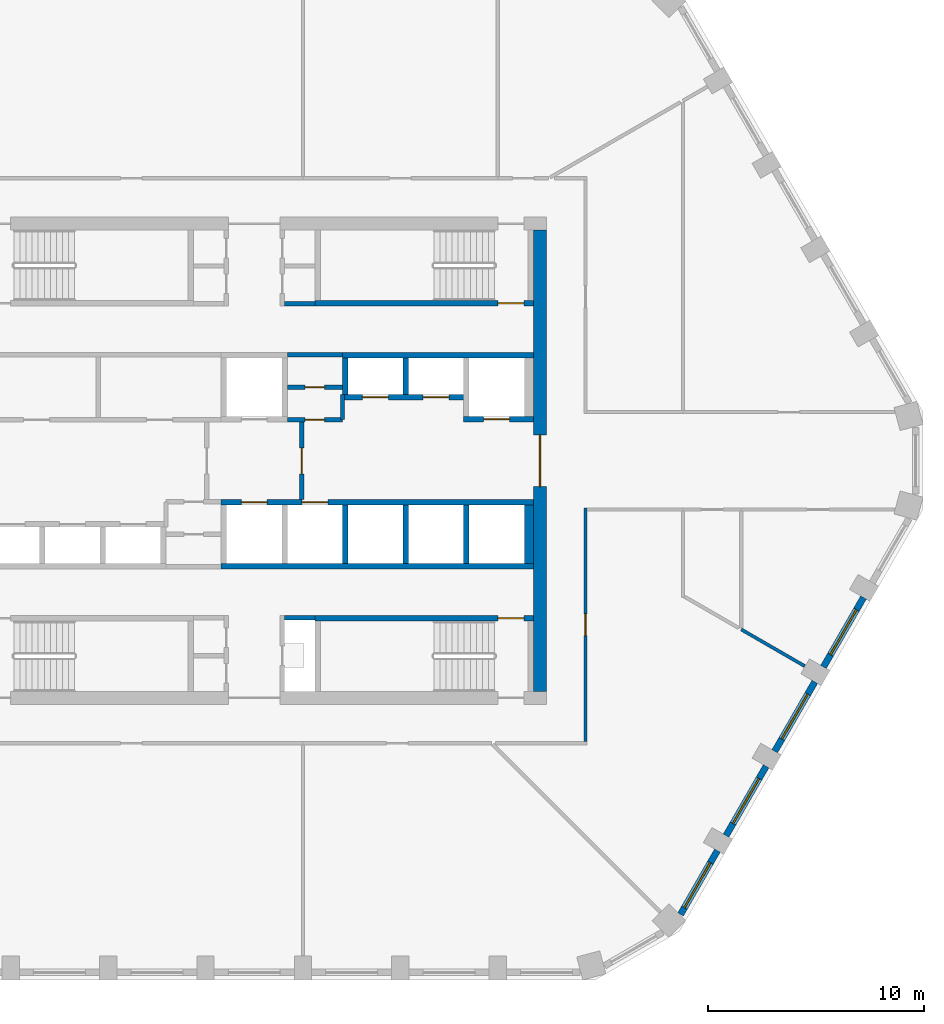
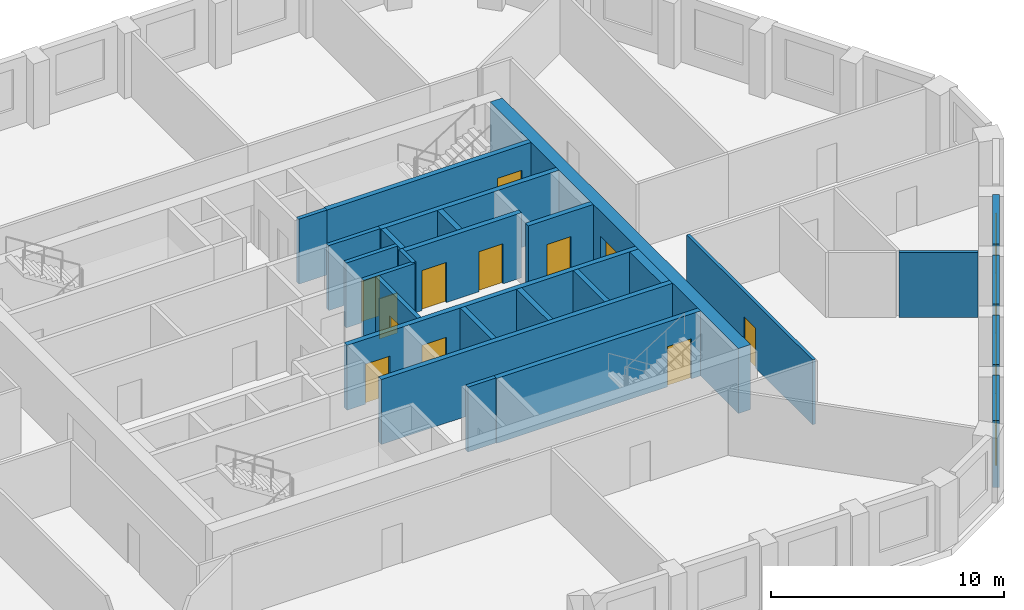
# One storey, part 4 of 8: 27 walls, 12 doors, 4 windows, 16 openings.
"""IFC4 building model written with IfcOpenShell, lengths in metres."""

from ifc_helpers import new_model, si_unit, direction, frame, frame_2d, origin, place, context, subcontext, project, spatial, polyline, rectangle, outline, extrude, material, layer, layer_set, type_object, element, fill, save


model = new_model("IFC4")

# Units and contexts
model_context = context("Model", 3, precision=1e-05, world=origin(), true_north=direction((0.0, 1.0)))
body_context = subcontext(model_context, "Body", "Model", "MODEL_VIEW")
ifc_project = project(units=[si_unit("LENGTHUNIT", "METRE"), si_unit("AREAUNIT", "SQUARE_METRE"), si_unit("VOLUMEUNIT", "CUBIC_METRE"), si_unit("PLANEANGLEUNIT", "RADIAN"), si_unit("MASSUNIT", "GRAM", prefix="KILO")], contexts=[model_context])

# Site, building, storey
site_placement = place(None, origin())
site = spatial("IfcSite", under=ifc_project, at=site_placement, CompositionType="ELEMENT")
building_placement = place(site_placement, origin())
building = spatial("IfcBuilding", under=site, at=building_placement, Name="Dhurran Vertical Campus", CompositionType="ELEMENT")
storey_placement = place(building_placement, frame((0.0, 0.0, 226.800048828125)))
storey = spatial("IfcBuildingStorey", under=building, at=storey_placement, Name="L56", CompositionType="ELEMENT", Elevation=226.800048828125)

# Wall, opening, window
ifc_material_1 = material(Name="Precast concrete C50/60", Category="concrete")
ifc_layer_1 = layer(ifc_material_1, 0.300048828125)
ifc_layer_set_1 = layer_set([ifc_layer_1], Name="Precast concrete C50/60")
wall_type_1 = type_object("IfcWallType", Name="Precast spandrel wall 300", PredefinedType="SOLIDWALL", material=ifc_layer_set_1)
wall_1_placement = place(storey_placement, frame((19.69580078125, -20.951171875, 0.0), z_axis=(0.0, 0.0, 1.0), x_axis=(0.500012868213, 0.866017974191, 0.0)))
wall_1 = element("IfcWall", 1, at=wall_1_placement, inside=storey, type_object=wall_type_1, Name="EW1 L56.08", PredefinedType="SOLIDWALL", context=body_context, shape_type="SweptSolid", body=[
    extrude(rectangle(XDim=3.39599609375, YDim=0.300048828125, at=frame_2d((1.697998046875, 0.0))), origin(), (0.0, 0.0, 1.0), 3.5),
])
opening_1_placement = place(wall_1_placement, frame((0.346435546875, 0.0, 0.89990234375)))
opening_1 = element("IfcOpeningElement", 2, at=opening_1_placement, cuts=wall_1, Name="Opening WT1", PredefinedType="OPENING", context=body_context, shape_type="SweptSolid", body=[
    extrude(rectangle(XDim=2.39990234375, YDim=2.10009765625, at=frame_2d((1.199951171875, 1.050048828125))), frame((0.0, 0.159912109375, 0.0), z_axis=(0.0, -1.0, 0.0), x_axis=(1.0, 0.0, 0.0)), (0.0, 0.0, 1.0), 0.320068359375),
])
ifc_material_2 = material(Name="Aluminium frame with solar-control glass", Category="aluminium")
window_type = type_object("IfcWindowType", Name="Punched window 2400 x 2100", PartitioningType="SINGLE_PANEL", PredefinedType="WINDOW", material=ifc_material_2)
window_1_placement = place(opening_1_placement, origin())
window_1 = element("IfcWindow", 3, at=window_1_placement, inside=storey, type_object=window_type, Name="WT1 L56.08", OverallHeight=2.10009765625, OverallWidth=2.39990234375, PartitioningType="SINGLE_PANEL", PredefinedType="WINDOW", context=body_context, shape_type="SweptSolid", body=[
    extrude(rectangle(XDim=2.39990234375, YDim=2.10009765625, at=frame_2d((1.199951171875, 1.050048828125))), frame((0.0, 0.030029296875, 0.0), z_axis=(0.0, -1.0, 0.0), x_axis=(1.0, 0.0, 0.0)), (0.0, 0.0, 1.0), 0.06005859375),
])
fill(opening_1, window_1)

wall_2_placement = place(storey_placement, frame((21.794189453125, -17.316650390625, 0.0), z_axis=(0.0, 0.0, 1.0), x_axis=(0.500029062817, 0.866008623709, 0.0)))
wall_2 = element("IfcWall", 4, at=wall_2_placement, inside=storey, type_object=wall_type_1, Name="EW1 L56.09", PredefinedType="SOLIDWALL", context=body_context, shape_type="SweptSolid", body=[
    extrude(rectangle(XDim=3.698974609375, YDim=0.300048828125, at=frame_2d((1.849609375, 0.0))), origin(), (0.0, 0.0, 1.0), 3.5),
])
opening_2_placement = place(wall_2_placement, frame((0.6494140625, 0.0, 0.89990234375)))
opening_2 = element("IfcOpeningElement", 5, at=opening_2_placement, cuts=wall_2, Name="Opening WT1", PredefinedType="OPENING", context=body_context, shape_type="SweptSolid", body=[
    extrude(rectangle(XDim=2.39990234375, YDim=2.10009765625, at=frame_2d((1.199951171875, 1.050048828125))), frame((0.0, 0.159912109375, 0.0), z_axis=(0.0, -1.0, 0.0), x_axis=(1.0, 0.0, 0.0)), (0.0, 0.0, 1.0), 0.320068359375),
])
window_2_placement = place(opening_2_placement, origin())
window_2 = element("IfcWindow", 6, at=window_2_placement, inside=storey, type_object=window_type, Name="WT1 L56.09", OverallHeight=2.10009765625, OverallWidth=2.39990234375, PartitioningType="SINGLE_PANEL", PredefinedType="WINDOW", context=body_context, shape_type="SweptSolid", body=[
    extrude(rectangle(XDim=2.39990234375, YDim=2.10009765625, at=frame_2d((1.199951171875, 1.050048828125))), frame((0.0, 0.030029296875, 0.0), z_axis=(0.0, -1.0, 0.0), x_axis=(1.0, 0.0, 0.0)), (0.0, 0.0, 1.0), 0.06005859375),
])
fill(opening_2, window_2)

wall_3_placement = place(storey_placement, frame((24.044189453125, -13.41943359375, 0.0), z_axis=(0.0, 0.0, 1.0), x_axis=(0.500029062817, 0.866008623709, 0.0)))
wall_3 = element("IfcWall", 7, at=wall_3_placement, inside=storey, type_object=wall_type_1, Name="EW1 L56.10", PredefinedType="SOLIDWALL", context=body_context, shape_type="SweptSolid", body=[
    extrude(rectangle(XDim=3.698974609375, YDim=0.300048828125, at=frame_2d((1.849609375, 0.0))), origin(), (0.0, 0.0, 1.0), 3.5),
])
opening_3_placement = place(wall_3_placement, frame((0.6494140625, 0.0, 0.89990234375)))
opening_3 = element("IfcOpeningElement", 8, at=opening_3_placement, cuts=wall_3, Name="Opening WT1", PredefinedType="OPENING", context=body_context, shape_type="SweptSolid", body=[
    extrude(rectangle(XDim=2.39990234375, YDim=2.10009765625, at=frame_2d((1.199951171875, 1.050048828125))), frame((0.0, 0.159912109375, 0.0), z_axis=(0.0, -1.0, 0.0), x_axis=(1.0, 0.0, 0.0)), (0.0, 0.0, 1.0), 0.320068359375),
])
window_3_placement = place(opening_3_placement, origin())
window_3 = element("IfcWindow", 9, at=window_3_placement, inside=storey, type_object=window_type, Name="WT1 L56.10", OverallHeight=2.10009765625, OverallWidth=2.39990234375, PartitioningType="SINGLE_PANEL", PredefinedType="WINDOW", context=body_context, shape_type="SweptSolid", body=[
    extrude(rectangle(XDim=2.39990234375, YDim=2.10009765625, at=frame_2d((1.199951171875, 1.050048828125))), frame((0.0, 0.030029296875, 0.0), z_axis=(0.0, -1.0, 0.0), x_axis=(1.0, 0.0, 0.0)), (0.0, 0.0, 1.0), 0.06005859375),
])
fill(opening_3, window_3)

wall_4_placement = place(storey_placement, frame((26.294189453125, -9.5224609375, 0.0), z_axis=(0.0, 0.0, 1.0), x_axis=(0.500029062817, 0.866008623709, 0.0)))
wall_4 = element("IfcWall", 10, at=wall_4_placement, inside=storey, type_object=wall_type_1, Name="EW1 L56.11", PredefinedType="SOLIDWALL", context=body_context, shape_type="SweptSolid", body=[
    extrude(rectangle(XDim=3.698974609375, YDim=0.300048828125, at=frame_2d((1.849609375, 0.0))), origin(), (0.0, 0.0, 1.0), 3.5),
])
opening_4_placement = place(wall_4_placement, frame((0.6494140625, 0.0, 0.89990234375)))
opening_4 = element("IfcOpeningElement", 11, at=opening_4_placement, cuts=wall_4, Name="Opening WT1", PredefinedType="OPENING", context=body_context, shape_type="SweptSolid", body=[
    extrude(rectangle(XDim=2.39990234375, YDim=2.10009765625, at=frame_2d((1.199951171875, 1.050048828125))), frame((0.0, 0.159912109375, 0.0), z_axis=(0.0, -1.0, 0.0), x_axis=(1.0, 0.0, 0.0)), (0.0, 0.0, 1.0), 0.320068359375),
])
window_4_placement = place(opening_4_placement, origin())
window_4 = element("IfcWindow", 12, at=window_4_placement, inside=storey, type_object=window_type, Name="WT1 L56.11", OverallHeight=2.10009765625, OverallWidth=2.39990234375, PartitioningType="SINGLE_PANEL", PredefinedType="WINDOW", context=body_context, shape_type="SweptSolid", body=[
    extrude(rectangle(XDim=2.39990234375, YDim=2.10009765625, at=frame_2d((1.199951171875, 1.050048828125))), frame((0.0, 0.030029296875, 0.0), z_axis=(0.0, -1.0, 0.0), x_axis=(1.0, 0.0, 0.0)), (0.0, 0.0, 1.0), 0.06005859375),
])
fill(opening_4, window_4)

# Wall, opening, door
ifc_material_3 = material(Name="Concrete C50/60", Category="concrete")
ifc_layer_2 = layer(ifc_material_3, 0.60009765625)
ifc_layer_set_2 = layer_set([ifc_layer_2], Name="Concrete C50/60")
wall_type_2 = type_object("IfcWallType", Name="co-CORE-WALL-C2-600", PredefinedType="SHEAR", material=ifc_layer_set_2)
wall_5_placement = place(storey_placement, frame((13.199951171875, -10.64990234375, 0.0), z_axis=(0.0, 0.0, 1.0), x_axis=(0.0, 1.0, 0.0)))
wall_5 = element("IfcWall", 13, at=wall_5_placement, inside=storey, type_object=wall_type_2, Name="Core wall E L56", PredefinedType="SHEAR", context=body_context, shape_type="SweptSolid", body=[
    extrude(rectangle(XDim=21.2998046875, YDim=0.60009765625, at=frame_2d((10.64990234375, 0.0))), origin(), (0.0, 0.0, 1.0), 3.39990234375),
])
opening_5_placement = place(wall_5_placement, frame((9.449951171875, 0.0, 0.0)))
opening_5 = element("IfcOpeningElement", 14, at=opening_5_placement, cuts=wall_5, Name="Opening CL2", PredefinedType="OPENING", context=body_context, shape_type="SweptSolid", body=[
    extrude(rectangle(XDim=2.39990234375, YDim=2.10009765625, at=frame_2d((1.199951171875, 1.050048828125))), frame((0.0, 0.31005859375, 0.0), z_axis=(0.0, -1.0, 0.0), x_axis=(1.0, 0.0, 0.0)), (0.0, 0.0, 1.0), 0.6201171875),
])
ifc_material_4 = material(Name="Fire-rated glazed door set")
door_type_1 = type_object("IfcDoorType", Name="co-D-LOBBY 2400x2100", OperationType="DOUBLE_DOOR_DOUBLE_SWING", PredefinedType="DOOR", material=ifc_material_4)
door_1_placement = place(opening_5_placement, origin())
door_1 = element("IfcDoor", 15, at=door_1_placement, inside=storey, type_object=door_type_1, Name="Lift lobby door E L56", OperationType="DOUBLE_DOOR_DOUBLE_SWING", OverallHeight=2.10009765625, OverallWidth=2.39990234375, PredefinedType="DOOR", context=body_context, shape_type="SweptSolid", body=[
    extrude(rectangle(XDim=2.39990234375, YDim=2.10009765625, at=frame_2d((1.199951171875, 1.050048828125))), frame((0.0, 0.02490234375, 0.0), z_axis=(0.0, -1.0, 0.0), x_axis=(1.0, 0.0, 0.0)), (0.0, 0.0, 1.0), 0.050048828125),
])
fill(opening_5, door_1)

ifc_material_5 = material(Name="Fire-rated masonry blockwork", Category="masonry")
ifc_layer_3 = layer(ifc_material_5, 0.199951171875)
ifc_layer_set_3 = layer_set([ifc_layer_3], Name="Fire-rated masonry blockwork")
wall_type_3 = type_object("IfcWallType", Name="co-FIRE-PARTITION-200", PredefinedType="PARTITIONING", material=ifc_layer_set_3)
wall_6_placement = place(storey_placement, frame((2.199951171875, -1.800048828125, 0.0), z_axis=(0.0, 0.0, 1.0), x_axis=(0.0, 1.0, 0.0)))
wall_6 = element("IfcWall", 16, at=wall_6_placement, inside=storey, type_object=wall_type_3, Name="Firefighting lobby wall E L56", PredefinedType="PARTITIONING", context=body_context, shape_type="SweptSolid", body=[
    extrude(rectangle(XDim=3.60009765625, YDim=0.199951171875, at=frame_2d((1.800048828125, 0.0))), origin(), (0.0, 0.0, 1.0), 3.39990234375),
])
opening_6_placement = place(wall_6_placement, frame((1.199951171875, 0.0, 0.0)))
opening_6 = element("IfcOpeningElement", 17, at=opening_6_placement, cuts=wall_6, Name="Opening FL2", PredefinedType="OPENING", context=body_context, shape_type="SweptSolid", body=[
    extrude(rectangle(XDim=1.199951171875, YDim=2.10009765625, at=frame_2d((0.60009765625, 1.050048828125))), frame((0.0, 0.10986328125, 0.0), z_axis=(0.0, -1.0, 0.0), x_axis=(1.0, 0.0, 0.0)), (0.0, 0.0, 1.0), 0.219970703125),
])
ifc_material_6 = material(Name="Fire-rated steel door set", Category="steel")
door_type_2 = type_object("IfcDoorType", Name="co-D-FFLOBBY 1200x2100", OperationType="SINGLE_SWING_LEFT", PredefinedType="DOOR", material=ifc_material_6)
door_2_placement = place(opening_6_placement, origin())
door_2 = element("IfcDoor", 18, at=door_2_placement, inside=storey, type_object=door_type_2, Name="Firefighting lobby door E L56", OperationType="SINGLE_SWING_LEFT", OverallHeight=2.10009765625, OverallWidth=1.199951171875, PredefinedType="DOOR", context=body_context, shape_type="SweptSolid", body=[
    extrude(rectangle(XDim=1.199951171875, YDim=2.10009765625, at=frame_2d((0.60009765625, 1.050048828125))), frame((0.0, 0.02490234375, 0.0), z_axis=(0.0, -1.0, 0.0), x_axis=(1.0, 0.0, 0.0)), (0.0, 0.0, 1.0), 0.050048828125),
])
fill(opening_6, door_2)

# Walls
for number, where, z_axis, x_axis, name in (
    (19, (1.39990234375, 7.25, 0.0), (0.0, 0.0, 1.0), (1.0, 0.0, 0.0), "Core partition sl-NE-S L56"),
    (20, (1.39990234375, -7.25, 0.0), (0.0, 0.0, 1.0), (1.0, 0.0, 0.0), "Core partition sl-SE-S L56"),
):
    element("IfcWall", number, at=place(storey_placement, frame(where, z_axis=z_axis, x_axis=x_axis)), inside=storey, type_object=wall_type_3, Name=name, PredefinedType="PARTITIONING", context=body_context, shape_type="SweptSolid", body=[
        extrude(rectangle(XDim=1.400146484375, YDim=0.199951171875, at=frame_2d((0.7001953125, 0.0))), origin(), (0.0, 0.0, 1.0), 3.39990234375),
    ])

# Wall, opening, door
wall_7_placement = place(storey_placement, frame((1.52490234375, 3.39990234375, 0.0), z_axis=(0.0, 0.0, 1.0), x_axis=(1.0, 0.0, 0.0)))
wall_7 = element("IfcWall", 21, at=wall_7_placement, inside=storey, type_object=wall_type_3, Name="Core partition fr-N1-c L56", PredefinedType="PARTITIONING", context=body_context, shape_type="SweptSolid", body=[
    extrude(rectangle(XDim=2.550048828125, YDim=0.199951171875, at=frame_2d((1.27490234375, 0.0))), origin(), (0.0, 0.0, 1.0), 3.39990234375),
])
opening_7_placement = place(wall_7_placement, frame((0.824951171875, 0.0, 0.0)))
opening_7 = element("IfcOpeningElement", 22, at=opening_7_placement, cuts=wall_7, Name="Opening T16-C10", PredefinedType="OPENING", context=body_context, shape_type="SweptSolid", body=[
    extrude(rectangle(XDim=0.89990234375, YDim=2.10009765625, at=frame_2d((0.449951171875, 1.050048828125))), frame((0.0, 0.10986328125, 0.0), z_axis=(0.0, -1.0, 0.0), x_axis=(1.0, 0.0, 0.0)), (0.0, 0.0, 1.0), 0.219970703125),
])
ifc_material_7 = material(Name="Fire-rated timber door set", Category="wood")
door_type_3 = type_object("IfcDoorType", Name="co-D-ROOM 900x2100", OperationType="SINGLE_SWING_LEFT", PredefinedType="DOOR", material=ifc_material_7)
door_3_placement = place(opening_7_placement, origin())
door_3 = element("IfcDoor", 23, at=door_3_placement, inside=storey, type_object=door_type_3, Name="Plant room door L56", OperationType="SINGLE_SWING_LEFT", OverallHeight=2.10009765625, OverallWidth=0.89990234375, PredefinedType="DOOR", context=body_context, shape_type="SweptSolid", body=[
    extrude(rectangle(XDim=0.89990234375, YDim=2.10009765625, at=frame_2d((0.449951171875, 1.050048828125))), frame((0.0, 0.02490234375, 0.0), z_axis=(0.0, -1.0, 0.0), x_axis=(1.0, 0.0, 0.0)), (0.0, 0.0, 1.0), 0.050048828125),
])
fill(opening_7, door_3)

wall_8_placement = place(storey_placement, frame((1.52490234375, 1.89990234375, 0.0), z_axis=(0.0, 0.0, 1.0), x_axis=(1.0, 0.0, 0.0)))
wall_8 = element("IfcWall", 24, at=wall_8_placement, inside=storey, type_object=wall_type_3, Name="Core partition fr-N1-f L56", PredefinedType="PARTITIONING", context=body_context, shape_type="SweptSolid", body=[
    extrude(rectangle(XDim=2.550048828125, YDim=0.199951171875, at=frame_2d((1.27490234375, 0.0))), origin(), (0.0, 0.0, 1.0), 3.39990234375),
])
opening_8_placement = place(wall_8_placement, frame((0.824951171875, 0.0, 0.0)))
opening_8 = element("IfcOpeningElement", 25, at=opening_8_placement, cuts=wall_8, Name="Opening T16-C11", PredefinedType="OPENING", context=body_context, shape_type="SweptSolid", body=[
    extrude(rectangle(XDim=0.89990234375, YDim=2.10009765625, at=frame_2d((0.449951171875, 1.050048828125))), frame((0.0, 0.10986328125, 0.0), z_axis=(0.0, -1.0, 0.0), x_axis=(1.0, 0.0, 0.0)), (0.0, 0.0, 1.0), 0.219970703125),
])
door_4_placement = place(opening_8_placement, origin())
door_4 = element("IfcDoor", 26, at=door_4_placement, inside=storey, type_object=door_type_3, Name="Server room door L56", OperationType="SINGLE_SWING_LEFT", OverallHeight=2.10009765625, OverallWidth=0.89990234375, PredefinedType="DOOR", context=body_context, shape_type="SweptSolid", body=[
    extrude(rectangle(XDim=0.89990234375, YDim=2.10009765625, at=frame_2d((0.449951171875, 1.050048828125))), frame((0.0, 0.02490234375, 0.0), z_axis=(0.0, -1.0, 0.0), x_axis=(1.0, 0.0, 0.0)), (0.0, 0.0, 1.0), 0.050048828125),
])
fill(opening_8, door_4)

# Walls
wall_9_placement = place(storey_placement, frame((1.52490234375, 4.89990234375, 0.0), z_axis=(0.0, 0.0, 1.0), x_axis=(1.0, 0.0, 0.0)))
element("IfcWall", 27, at=wall_9_placement, inside=storey, type_object=wall_type_3, Name="Core partition fr-N1-b L56", PredefinedType="PARTITIONING", context=body_context, shape_type="SweptSolid", body=[
    extrude(rectangle(XDim=2.550048828125, YDim=0.199951171875, at=frame_2d((1.27490234375, 0.0))), origin(), (0.0, 0.0, 1.0), 3.39990234375),
])
wall_10_placement = place(storey_placement, frame((4.074951171875, 1.89990234375, 0.0), z_axis=(0.0, 0.0, 1.0), x_axis=(0.0, 1.0, 0.0)))
element("IfcWall", 28, at=wall_10_placement, inside=storey, type_object=wall_type_3, Name="Core partition fr-N1-n1 L56", PredefinedType="PARTITIONING", context=body_context, shape_type="SweptSolid", body=[
    extrude(rectangle(XDim=1.150146484375, YDim=0.199951171875, at=frame_2d((0.5751953125, 0.0))), origin(), (0.0, 0.0, 1.0), 3.39990234375),
])

# Wall, openings, doors
ifc_material_8 = material(Name="Concrete C50/60", Category="concrete")
ifc_layer_4 = layer(ifc_material_8, 0.25)
ifc_layer_set_4 = layer_set([ifc_layer_4], Name="Concrete C50/60")
wall_type_4 = type_object("IfcWallType", Name="co-SHAFT-FRONT-250", PredefinedType="SHEAR", material=ifc_layer_set_4)
wall_11_placement = place(storey_placement, frame((4.074951171875, 2.925048828125, 0.0), z_axis=(0.0, 0.0, 1.0), x_axis=(1.0, 0.0, 0.0)))
wall_11 = element("IfcWall", 29, at=wall_11_placement, inside=storey, type_object=wall_type_4, Name="Lift landing wall N L56", PredefinedType="SHEAR", context=body_context, shape_type="SweptSolid", body=[
    extrude(rectangle(XDim=5.85009765625, YDim=0.25, at=frame_2d((2.925048828125, 0.0))), origin(), (0.0, 0.0, 1.0), 3.39990234375),
])
opening_9_placement = place(wall_11_placement, frame((0.925048828125, 0.0, 0.0)))
opening_9 = element("IfcOpeningElement", 30, at=opening_9_placement, cuts=wall_11, Name="Opening LD", PredefinedType="OPENING", context=body_context, shape_type="SweptSolid", body=[
    extrude(rectangle(XDim=1.199951171875, YDim=2.10009765625, at=frame_2d((0.60009765625, 1.050048828125))), frame((0.0, 0.135009765625, 0.0), z_axis=(0.0, -1.0, 0.0), x_axis=(1.0, 0.0, 0.0)), (0.0, 0.0, 1.0), 0.27001953125),
])
opening_10_placement = place(wall_11_placement, frame((3.72509765625, 0.0, 0.0)))
opening_10 = element("IfcOpeningElement", 31, at=opening_10_placement, cuts=wall_11, Name="Opening LD", PredefinedType="OPENING", context=body_context, shape_type="SweptSolid", body=[
    extrude(rectangle(XDim=1.199951171875, YDim=2.10009765625, at=frame_2d((0.60009765625, 1.050048828125))), frame((0.0, 0.135009765625, 0.0), z_axis=(0.0, -1.0, 0.0), x_axis=(1.0, 0.0, 0.0)), (0.0, 0.0, 1.0), 0.27001953125),
])
ifc_material_9 = material(Name="Stainless steel landing door", Category="steel")
door_type_4 = type_object("IfcDoorType", Name="co-D-LANDING 1200x2100", OperationType="DOUBLE_DOOR_SLIDING", PredefinedType="DOOR", material=ifc_material_9)
door_5_placement = place(opening_9_placement, origin())
door_5 = element("IfcDoor", 32, at=door_5_placement, inside=storey, type_object=door_type_4, Name="Landing door MR1 L56", OperationType="DOUBLE_DOOR_SLIDING", OverallHeight=2.10009765625, OverallWidth=1.199951171875, PredefinedType="DOOR", context=body_context, shape_type="SweptSolid", body=[
    extrude(rectangle(XDim=1.199951171875, YDim=2.10009765625, at=frame_2d((0.60009765625, 1.050048828125))), frame((0.0, 0.02490234375, 0.0), z_axis=(0.0, -1.0, 0.0), x_axis=(1.0, 0.0, 0.0)), (0.0, 0.0, 1.0), 0.050048828125),
])
fill(opening_9, door_5)
door_6_placement = place(opening_10_placement, origin())
door_6 = element("IfcDoor", 33, at=door_6_placement, inside=storey, type_object=door_type_4, Name="Landing door MR2 L56", OperationType="DOUBLE_DOOR_SLIDING", OverallHeight=2.10009765625, OverallWidth=1.199951171875, PredefinedType="DOOR", context=body_context, shape_type="SweptSolid", body=[
    extrude(rectangle(XDim=1.199951171875, YDim=2.10009765625, at=frame_2d((0.60009765625, 1.050048828125))), frame((0.0, 0.02490234375, 0.0), z_axis=(0.0, -1.0, 0.0), x_axis=(1.0, 0.0, 0.0)), (0.0, 0.0, 1.0), 0.050048828125),
])
fill(opening_10, door_6)

# Wall, opening, door
wall_12_placement = place(storey_placement, frame((9.675048828125, 1.925048828125, 0.0), z_axis=(0.0, 0.0, 1.0), x_axis=(1.0, 0.0, 0.0)))
wall_12 = element("IfcWall", 34, at=wall_12_placement, inside=storey, type_object=wall_type_4, Name="Lift landing wall N L56", PredefinedType="SHEAR", context=body_context, shape_type="SweptSolid", body=[
    extrude(rectangle(XDim=3.224853515625, YDim=0.25, at=frame_2d((1.6123046875, 0.0))), origin(), (0.0, 0.0, 1.0), 3.39990234375),
])
opening_11_placement = place(wall_12_placement, frame((0.925048828125, 0.0, 0.0)))
opening_11 = element("IfcOpeningElement", 35, at=opening_11_placement, cuts=wall_12, Name="Opening LD", PredefinedType="OPENING", context=body_context, shape_type="SweptSolid", body=[
    extrude(rectangle(XDim=1.199951171875, YDim=2.10009765625, at=frame_2d((0.60009765625, 1.050048828125))), frame((0.0, 0.135009765625, 0.0), z_axis=(0.0, -1.0, 0.0), x_axis=(1.0, 0.0, 0.0)), (0.0, 0.0, 1.0), 0.27001953125),
])
door_7_placement = place(opening_11_placement, origin())
door_7 = element("IfcDoor", 36, at=door_7_placement, inside=storey, type_object=door_type_4, Name="Landing door SV2 L56", OperationType="DOUBLE_DOOR_SLIDING", OverallHeight=2.10009765625, OverallWidth=1.199951171875, PredefinedType="DOOR", context=body_context, shape_type="SweptSolid", body=[
    extrude(rectangle(XDim=1.199951171875, YDim=2.10009765625, at=frame_2d((0.60009765625, 1.050048828125))), frame((0.0, 0.02490234375, 0.0), z_axis=(0.0, -1.0, 0.0), x_axis=(1.0, 0.0, 0.0)), (0.0, 0.0, 1.0), 0.050048828125),
])
fill(opening_11, door_7)

# Wall, openings, doors
wall_13_placement = place(storey_placement, frame((-1.52490234375, -1.925048828125, 0.0), z_axis=(0.0, 0.0, 1.0), x_axis=(1.0, 0.0, 0.0)))
wall_13 = element("IfcWall", 37, at=wall_13_placement, inside=storey, type_object=wall_type_4, Name="Lift landing wall S L56", PredefinedType="SHEAR", context=body_context, shape_type="SweptSolid", body=[
    extrude(rectangle(XDim=14.4248046875, YDim=0.25, at=frame_2d((7.21240234375, 0.0))), origin(), (0.0, 0.0, 1.0), 3.39990234375),
])
opening_12_placement = place(wall_13_placement, frame((0.925048828125, 0.0, 0.0)))
opening_12 = element("IfcOpeningElement", 38, at=opening_12_placement, cuts=wall_13, Name="Opening LD", PredefinedType="OPENING", context=body_context, shape_type="SweptSolid", body=[
    extrude(rectangle(XDim=1.199951171875, YDim=2.10009765625, at=frame_2d((0.60009765625, 1.050048828125))), frame((0.0, 0.135009765625, 0.0), z_axis=(0.0, -1.0, 0.0), x_axis=(1.0, 0.0, 0.0)), (0.0, 0.0, 1.0), 0.27001953125),
])
opening_13_placement = place(wall_13_placement, frame((3.72509765625, 0.0, 0.0)))
opening_13 = element("IfcOpeningElement", 39, at=opening_13_placement, cuts=wall_13, Name="Opening LD", PredefinedType="OPENING", context=body_context, shape_type="SweptSolid", body=[
    extrude(rectangle(XDim=1.199951171875, YDim=2.10009765625, at=frame_2d((0.60009765625, 1.050048828125))), frame((0.0, 0.135009765625, 0.0), z_axis=(0.0, -1.0, 0.0), x_axis=(1.0, 0.0, 0.0)), (0.0, 0.0, 1.0), 0.27001953125),
])
door_8_placement = place(opening_12_placement, origin())
door_8 = element("IfcDoor", 40, at=door_8_placement, inside=storey, type_object=door_type_4, Name="Landing door FF2 L56", OperationType="DOUBLE_DOOR_SLIDING", OverallHeight=2.10009765625, OverallWidth=1.199951171875, PredefinedType="DOOR", context=body_context, shape_type="SweptSolid", body=[
    extrude(rectangle(XDim=1.199951171875, YDim=2.10009765625, at=frame_2d((0.60009765625, 1.050048828125))), frame((0.0, 0.02490234375, 0.0), z_axis=(0.0, -1.0, 0.0), x_axis=(1.0, 0.0, 0.0)), (0.0, 0.0, 1.0), 0.050048828125),
])
fill(opening_12, door_8)
door_9_placement = place(opening_13_placement, origin())
door_9 = element("IfcDoor", 41, at=door_9_placement, inside=storey, type_object=door_type_4, Name="Landing door SV1 L56", OperationType="DOUBLE_DOOR_SLIDING", OverallHeight=2.10009765625, OverallWidth=1.199951171875, PredefinedType="DOOR", context=body_context, shape_type="SweptSolid", body=[
    extrude(rectangle(XDim=1.199951171875, YDim=2.10009765625, at=frame_2d((0.60009765625, 1.050048828125))), frame((0.0, 0.02490234375, 0.0), z_axis=(0.0, -1.0, 0.0), x_axis=(1.0, 0.0, 0.0)), (0.0, 0.0, 1.0), 0.050048828125),
])
fill(opening_13, door_9)

# Walls
ifc_material_10 = material(Name="Concrete C50/60", Category="concrete")
ifc_layer_5 = layer(ifc_material_10, 0.25)
ifc_layer_set_5 = layer_set([ifc_layer_5], Name="Concrete C50/60")
wall_type_5 = type_object("IfcWallType", Name="co-SHAFT-MASS-250", PredefinedType="SHEAR", material=ifc_layer_set_5)
wall_14_placement = place(storey_placement, origin())
element("IfcWall", 42, at=wall_14_placement, inside=storey, type_object=wall_type_5, Name="Lift shaft wall N L56 2", PredefinedType="SHEAR", context=body_context, shape_type="SweptSolid", body=[
    extrude(outline(polyline([(4.074951171875, 4.75), (12.89990234375, 4.75), (12.89990234375, 5.0), (4.074951171875, 5.0), (4.074951171875, 4.75)])), origin(), (0.0, 0.0, 1.0), 3.39990234375),
])
wall_15_placement = place(storey_placement, origin())
element("IfcWall", 43, at=wall_15_placement, inside=storey, type_object=wall_type_5, Name="Lift shaft wall N L56 7", PredefinedType="SHEAR", context=body_context, shape_type="SweptSolid", body=[
    extrude(outline(polyline([(4.074951171875, 3.050048828125), (4.324951171875, 3.050048828125), (4.324951171875, 4.75), (4.074951171875, 4.75), (4.074951171875, 3.050048828125)])), origin(), (0.0, 0.0, 1.0), 3.39990234375),
])
wall_16_placement = place(storey_placement, origin())
element("IfcWall", 44, at=wall_16_placement, inside=storey, type_object=wall_type_5, Name="Lift shaft wall N L56 8", PredefinedType="SHEAR", context=body_context, shape_type="SweptSolid", body=[
    extrude(outline(polyline([(6.875, 3.050048828125), (7.125, 3.050048828125), (7.125, 4.75), (6.875, 4.75), (6.875, 3.050048828125)])), origin(), (0.0, 0.0, 1.0), 3.39990234375),
])
wall_17_placement = place(storey_placement, origin())
element("IfcWall", 45, at=wall_17_placement, inside=storey, type_object=wall_type_5, Name="Lift shaft wall S L56 2", PredefinedType="SHEAR", context=body_context, shape_type="SweptSolid", body=[
    extrude(outline(polyline([(-1.52490234375, -5.0), (12.89990234375, -5.0), (12.89990234375, -4.75), (-1.52490234375, -4.75), (-1.52490234375, -5.0)])), origin(), (0.0, 0.0, 1.0), 3.39990234375),
])
wall_18_placement = place(storey_placement, origin())
element("IfcWall", 46, at=wall_18_placement, inside=storey, type_object=wall_type_5, Name="Lift shaft wall S L56 9", PredefinedType="SHEAR", context=body_context, shape_type="SweptSolid", body=[
    extrude(outline(polyline([(4.074951171875, -4.75), (4.324951171875, -4.75), (4.324951171875, -2.050048828125), (4.074951171875, -2.050048828125), (4.074951171875, -4.75)])), origin(), (0.0, 0.0, 1.0), 3.39990234375),
])
wall_19_placement = place(storey_placement, origin())
element("IfcWall", 47, at=wall_19_placement, inside=storey, type_object=wall_type_5, Name="Lift shaft wall S L56 10", PredefinedType="SHEAR", context=body_context, shape_type="SweptSolid", body=[
    extrude(outline(polyline([(6.875, -4.75), (7.125, -4.75), (7.125, -2.050048828125), (6.875, -2.050048828125), (6.875, -4.75)])), origin(), (0.0, 0.0, 1.0), 3.39990234375),
])
wall_20_placement = place(storey_placement, origin())
element("IfcWall", 48, at=wall_20_placement, inside=storey, type_object=wall_type_5, Name="Lift shaft wall S L56 11", PredefinedType="SHEAR", context=body_context, shape_type="SweptSolid", body=[
    extrude(outline(polyline([(9.675048828125, -4.75), (9.925048828125, -4.75), (9.925048828125, -2.050048828125), (9.675048828125, -2.050048828125), (9.675048828125, -4.75)])), origin(), (0.0, 0.0, 1.0), 3.39990234375),
])
wall_21_placement = place(storey_placement, origin())
element("IfcWall", 49, at=wall_21_placement, inside=storey, type_object=wall_type_5, Name="Lift shaft wall S L56 12", PredefinedType="SHEAR", context=body_context, shape_type="SweptSolid", body=[
    extrude(outline(polyline([(12.47509765625, -4.75), (12.89990234375, -4.75), (12.89990234375, -2.050048828125), (12.47509765625, -2.050048828125), (12.47509765625, -4.75)])), origin(), (0.0, 0.0, 1.0), 3.39990234375),
])

# Wall, opening, door
ifc_material_11 = material(Name="Concrete C40/50", Category="concrete")
ifc_layer_6 = layer(ifc_material_11, 0.25)
ifc_layer_set_6 = layer_set([ifc_layer_6], Name="Concrete C40/50")
wall_type_6 = type_object("IfcWallType", Name="co-STAIR-WALL-250", PredefinedType="SHEAR", material=ifc_layer_set_6)
wall_22_placement = place(storey_placement, frame((2.800048828125, 7.27490234375, 0.0), z_axis=(0.0, 0.0, 1.0), x_axis=(1.0, 0.0, 0.0)))
wall_22 = element("IfcWall", 50, at=wall_22_placement, inside=storey, type_object=wall_type_6, Name="Stair ST2 enclosure wall L56", PredefinedType="SHEAR", context=body_context, shape_type="SweptSolid", body=[
    extrude(rectangle(XDim=10.099853515625, YDim=0.25, at=frame_2d((5.0498046875, 0.0))), origin(), (0.0, 0.0, 1.0), 3.39990234375),
])
opening_14_placement = place(wall_22_placement, frame((8.449951171875, 0.0, 0.0)))
opening_14 = element("IfcOpeningElement", 51, at=opening_14_placement, cuts=wall_22, Name="Opening SD2", PredefinedType="OPENING", context=body_context, shape_type="SweptSolid", body=[
    extrude(rectangle(XDim=1.199951171875, YDim=2.10009765625, at=frame_2d((0.60009765625, 1.050048828125))), frame((0.0, 0.135009765625, 0.0), z_axis=(0.0, -1.0, 0.0), x_axis=(1.0, 0.0, 0.0)), (0.0, 0.0, 1.0), 0.27001953125),
])
ifc_material_12 = material(Name="Fire-rated steel door set", Category="steel")
door_type_5 = type_object("IfcDoorType", Name="co-D-STAIR 1200x2100", OperationType="SINGLE_SWING_LEFT", PredefinedType="DOOR", material=ifc_material_12)
door_10_placement = place(opening_14_placement, origin())
door_10 = element("IfcDoor", 52, at=door_10_placement, inside=storey, type_object=door_type_5, Name="Stair ST2 door L56", OperationType="SINGLE_SWING_LEFT", OverallHeight=2.10009765625, OverallWidth=1.199951171875, PredefinedType="DOOR", context=body_context, shape_type="SweptSolid", body=[
    extrude(rectangle(XDim=1.199951171875, YDim=2.10009765625, at=frame_2d((0.60009765625, 1.050048828125))), frame((0.0, 0.02490234375, 0.0), z_axis=(0.0, -1.0, 0.0), x_axis=(1.0, 0.0, 0.0)), (0.0, 0.0, 1.0), 0.050048828125),
])
fill(opening_14, door_10)

wall_23_placement = place(storey_placement, frame((2.800048828125, -7.27490234375, 0.0), z_axis=(0.0, 0.0, 1.0), x_axis=(1.0, 0.0, 0.0)))
wall_23 = element("IfcWall", 53, at=wall_23_placement, inside=storey, type_object=wall_type_6, Name="Stair ST4 enclosure wall L56", PredefinedType="SHEAR", context=body_context, shape_type="SweptSolid", body=[
    extrude(rectangle(XDim=10.099853515625, YDim=0.25, at=frame_2d((5.0498046875, 0.0))), origin(), (0.0, 0.0, 1.0), 3.39990234375),
])
opening_15_placement = place(wall_23_placement, frame((8.449951171875, 0.0, 0.0)))
opening_15 = element("IfcOpeningElement", 54, at=opening_15_placement, cuts=wall_23, Name="Opening SD4", PredefinedType="OPENING", context=body_context, shape_type="SweptSolid", body=[
    extrude(rectangle(XDim=1.199951171875, YDim=2.10009765625, at=frame_2d((0.60009765625, 1.050048828125))), frame((0.0, 0.135009765625, 0.0), z_axis=(0.0, -1.0, 0.0), x_axis=(1.0, 0.0, 0.0)), (0.0, 0.0, 1.0), 0.27001953125),
])
door_11_placement = place(opening_15_placement, origin())
door_11 = element("IfcDoor", 55, at=door_11_placement, inside=storey, type_object=door_type_5, Name="Stair ST4 door L56", OperationType="SINGLE_SWING_LEFT", OverallHeight=2.10009765625, OverallWidth=1.199951171875, PredefinedType="DOOR", context=body_context, shape_type="SweptSolid", body=[
    extrude(rectangle(XDim=1.199951171875, YDim=2.10009765625, at=frame_2d((0.60009765625, 1.050048828125))), frame((0.0, 0.02490234375, 0.0), z_axis=(0.0, -1.0, 0.0), x_axis=(1.0, 0.0, 0.0)), (0.0, 0.0, 1.0), 0.050048828125),
])
fill(opening_15, door_11)

ifc_material_13 = material(Name="Gypsum board corridor wall on steel studs", Category="steel")
ifc_layer_7 = layer(ifc_material_13, 0.14990234375)
ifc_layer_set_7 = layer_set([ifc_layer_7], Name="Gypsum board corridor wall on steel studs")
wall_type_7 = type_object("IfcWallType", Name="fl-CW-150 corridor wall", PredefinedType="PARTITIONING", material=ifc_layer_set_7)
wall_24_placement = place(storey_placement, frame((15.300048828125, -12.97509765625, 0.0), z_axis=(0.0, 0.0, 1.0), x_axis=(0.0, 1.0, 0.0)))
wall_24 = element("IfcWall", 56, at=wall_24_placement, inside=storey, type_object=wall_type_7, Name="Partition 56-27", PredefinedType="PARTITIONING", context=body_context, shape_type="SweptSolid", body=[
    extrude(rectangle(XDim=10.800048828125, YDim=0.14990234375, at=frame_2d((5.39990234375, 0.0))), origin(), (0.0, 0.0, 1.0), 3.39990234375),
])
opening_16_placement = place(wall_24_placement, frame((4.89990234375, 0.0, 0.0)))
opening_16 = element("IfcOpeningElement", 57, at=opening_16_placement, cuts=wall_24, Name="Opening T16.11", PredefinedType="OPENING", context=body_context, shape_type="SweptSolid", body=[
    extrude(rectangle(XDim=1.0, YDim=2.10009765625, at=frame_2d((0.5, 1.050048828125))), frame((0.0, 0.0849609375, 0.0), z_axis=(0.0, -1.0, 0.0), x_axis=(1.0, 0.0, 0.0)), (0.0, 0.0, 1.0), 0.169921875),
])
ifc_material_14 = material(Name="Solid-core timber door set, fire-rated", Category="wood")
door_type_6 = type_object("IfcDoorType", Name="fl-D-1000x2100", OperationType="SINGLE_SWING_LEFT", PredefinedType="DOOR", material=ifc_material_14)
door_12_placement = place(opening_16_placement, origin())
door_12 = element("IfcDoor", 58, at=door_12_placement, inside=storey, type_object=door_type_6, Name="Door 56.11", OperationType="SINGLE_SWING_RIGHT", OverallHeight=2.10009765625, OverallWidth=1.0, PredefinedType="DOOR", context=body_context, shape_type="SweptSolid", body=[
    extrude(rectangle(XDim=1.0, YDim=2.10009765625, at=frame_2d((0.5, 1.050048828125))), frame((0.0, 0.02490234375, 0.0), z_axis=(0.0, -1.0, 0.0), x_axis=(1.0, 0.0, 0.0)), (0.0, 0.0, 1.0), 0.050048828125),
])
fill(opening_16, door_12)

# Wall
ifc_material_15 = material(Name="Gypsum board partition on steel studs", Category="steel")
ifc_layer_8 = layer(ifc_material_15, 0.14990234375)
ifc_layer_set_8 = layer_set([ifc_layer_8], Name="Gypsum board partition on steel studs")
wall_type_8 = type_object("IfcWallType", Name="fl-PW-150 fixed partition", PredefinedType="PARTITIONING", material=ifc_layer_set_8)
wall_25_placement = place(storey_placement, frame((22.5, -7.7939453125, 0.0), z_axis=(0.0, 0.0, 1.0), x_axis=(0.866007567725, -0.50003089169, 0.0)))
element("IfcWall", 59, at=wall_25_placement, inside=storey, type_object=wall_type_8, Name="Partition 56-38", PredefinedType="PARTITIONING", context=body_context, shape_type="SweptSolid", body=[
    extrude(rectangle(XDim=3.380126953125, YDim=0.14990234375, at=frame_2d((1.68994140625, 0.0))), origin(), (0.0, 0.0, 1.0), 3.39990234375),
])

save(model, "model.ifc")
